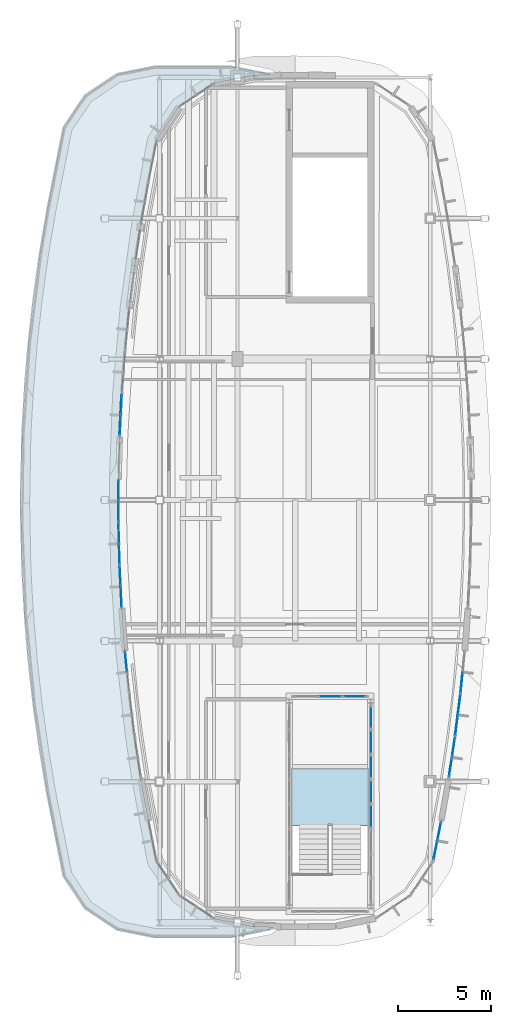
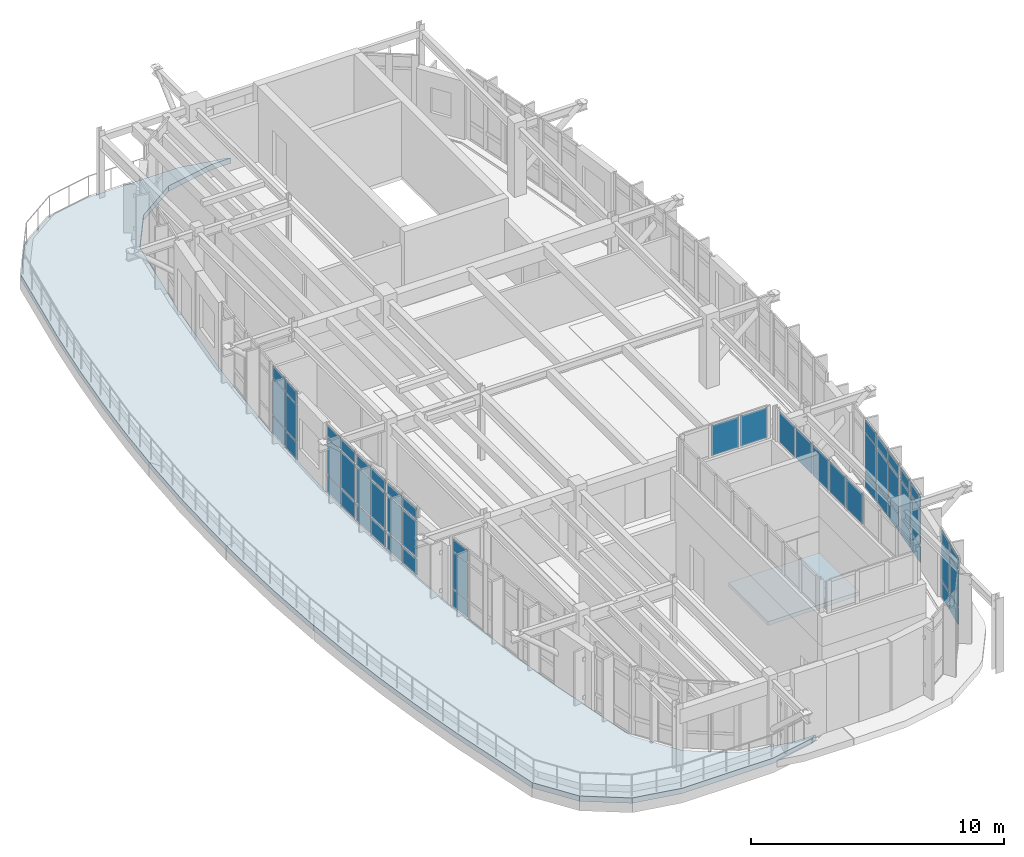
# One storey, part 13 of 20: 55 plates, 2 slabs, 12 elements without a shape of their own.
"""IFC4 building model written with IfcOpenShell, lengths in metres."""

from ifc_helpers import new_model, si_unit, direction, frame, origin, origin_2d, place, context, subcontext, project, spatial, polyline, rectangle, outline, extrude, material, layer, layer_set, type_object, element, aggregate, save


model = new_model("IFC4")

# Units and contexts
model_context = context("Model", 3, precision=1e-05, world=origin(), true_north=direction((0.0, 1.0)))
body_context = subcontext(model_context, "Body", "Model", "MODEL_VIEW")
ifc_project = project(units=[si_unit("LENGTHUNIT", "METRE"), si_unit("AREAUNIT", "SQUARE_METRE"), si_unit("VOLUMEUNIT", "CUBIC_METRE"), si_unit("PLANEANGLEUNIT", "RADIAN"), si_unit("MASSUNIT", "GRAM", prefix="KILO")], contexts=[model_context])

# Site, building, storey
site_placement = place(None, origin())
site = spatial("IfcSite", under=ifc_project, at=site_placement, CompositionType="ELEMENT")
building_placement = place(site_placement, origin())
building = spatial("IfcBuilding", under=site, at=building_placement, Name="Corveleigh Park Community Centre", CompositionType="ELEMENT")
storey_placement = place(building_placement, frame((0.0, 0.0, 19.800048828125)))
storey = spatial("IfcBuildingStorey", under=building, at=storey_placement, Name="L05", CompositionType="ELEMENT", Elevation=19.800048828125)

# Curtain wall, plates
ifc_material_1 = material(Name="Anodised aluminium 6063-T6", Category="aluminium")
curtain_wall_type = type_object("IfcCurtainWallType", Name="CW-SYS-V4-L03", PredefinedType="NOTDEFINED", material=ifc_material_1)
curtain_wall_1_placement = place(storey_placement, origin())
curtain_wall_1 = element("IfcCurtainWall", 1, at=curtain_wall_1_placement, inside=storey, type_object=curtain_wall_type, Name="V4 L05 Curtain Wall 493", PredefinedType="NOTDEFINED")
ifc_material_2 = material(Name="Low-E double glazing", Category="glass")
ifc_layer_1 = layer(ifc_material_2, 0.02392578125, Name="Low-E double glazing", Category="glass")
ifc_layer_set_1 = layer_set([ifc_layer_1], Name="Low-E double glazing")
plate_type_1 = type_object("IfcPlateType", Name="CWP-GLZ-24", PredefinedType="CURTAIN_PANEL", material=ifc_layer_set_1)
plate_1_placement = place(storey_placement, frame((151.5849609375, 80.79052734375, 0.070068359375), z_axis=(0.0, 0.0, 1.0), x_axis=(0.0, 1.0, 0.0)))
plate_1 = element("IfcPlate", 2, at=plate_1_placement, type_object=plate_type_1, Name="CW09 panel 1.1", PredefinedType="CURTAIN_PANEL", context=body_context, shape_type="SweptSolid", body=[
    extrude(rectangle(XDim=1.05908203125, YDim=0.02392578125, at=origin_2d()), origin(), (0.0, 0.0, 1.0), 0.794921875),
])
plate_2_placement = place(storey_placement, frame((151.5849609375, 80.79052734375, 0.93505859375), z_axis=(0.0, 0.0, 1.0), x_axis=(0.0, 1.0, 0.0)))
plate_2 = element("IfcPlate", 3, at=plate_2_placement, type_object=plate_type_1, Name="CW09 panel 1.2", PredefinedType="CURTAIN_PANEL", context=body_context, shape_type="SweptSolid", body=[
    extrude(rectangle(XDim=1.05908203125, YDim=0.02392578125, at=origin_2d()), origin(), (0.0, 0.0, 1.0), 1.743896484375),
])
plate_3_placement = place(storey_placement, frame((151.5849609375, 80.79052734375, 2.7490234375), z_axis=(0.0, 0.0, 1.0), x_axis=(0.0, 1.0, 0.0)))
plate_3 = element("IfcPlate", 4, at=plate_3_placement, type_object=plate_type_1, Name="CW09 panel 1.3", PredefinedType="CURTAIN_PANEL", context=body_context, shape_type="SweptSolid", body=[
    extrude(rectangle(XDim=1.05908203125, YDim=0.02392578125, at=origin_2d()), origin(), (0.0, 0.0, 1.0), 0.544921875),
])
plate_4_placement = place(storey_placement, frame((151.5849609375, 81.909423828125, 0.070068359375), z_axis=(0.0, 0.0, 1.0), x_axis=(0.0, 1.0, 0.0)))
plate_4 = element("IfcPlate", 5, at=plate_4_placement, type_object=plate_type_1, Name="CW09 panel 2.1", PredefinedType="CURTAIN_PANEL", context=body_context, shape_type="SweptSolid", body=[
    extrude(rectangle(XDim=1.05908203125, YDim=0.02392578125, at=origin_2d()), origin(), (0.0, 0.0, 1.0), 0.794921875),
])
plate_5_placement = place(storey_placement, frame((151.5849609375, 81.909423828125, 0.93505859375), z_axis=(0.0, 0.0, 1.0), x_axis=(0.0, 1.0, 0.0)))
plate_5 = element("IfcPlate", 6, at=plate_5_placement, type_object=plate_type_1, Name="CW09 panel 2.2", PredefinedType="CURTAIN_PANEL", context=body_context, shape_type="SweptSolid", body=[
    extrude(rectangle(XDim=1.05908203125, YDim=0.02392578125, at=origin_2d()), origin(), (0.0, 0.0, 1.0), 1.743896484375),
])
plate_6_placement = place(storey_placement, frame((151.5849609375, 81.909423828125, 2.7490234375), z_axis=(0.0, 0.0, 1.0), x_axis=(0.0, 1.0, 0.0)))
plate_6 = element("IfcPlate", 7, at=plate_6_placement, type_object=plate_type_1, Name="CW09 panel 2.3", PredefinedType="CURTAIN_PANEL", context=body_context, shape_type="SweptSolid", body=[
    extrude(rectangle(XDim=1.05908203125, YDim=0.02392578125, at=origin_2d()), origin(), (0.0, 0.0, 1.0), 0.544921875),
])
aggregate(curtain_wall_1, [plate_1, plate_2, plate_3, plate_4, plate_5, plate_6])

curtain_wall_2_placement = place(storey_placement, origin())
curtain_wall_2 = element("IfcCurtainWall", 8, at=curtain_wall_2_placement, inside=storey, type_object=curtain_wall_type, Name="V4 L05 Curtain Wall 494", PredefinedType="NOTDEFINED")
plate_7_placement = place(storey_placement, frame((151.628173828125, 78.477294921875, 0.074951171875), z_axis=(0.0, 0.0, 1.0), x_axis=(-0.025253267842, 0.999681085378, 0.0)))
plate_7 = element("IfcPlate", 9, at=plate_7_placement, type_object=plate_type_1, Name="CW09 panel 1.1", PredefinedType="CURTAIN_PANEL", context=body_context, shape_type="SweptSolid", body=[
    extrude(rectangle(XDim=1.05078125, YDim=0.02392578125, at=origin_2d()), origin(), (0.0, 0.0, 1.0), 0.78759765625),
])
plate_8_placement = place(storey_placement, frame((151.628173828125, 78.477294921875, 0.9375), z_axis=(0.0, 0.0, 1.0), x_axis=(-0.025253267842, 0.999681085378, 0.0)))
plate_8 = element("IfcPlate", 10, at=plate_8_placement, type_object=plate_type_1, Name="CW09 panel 1.2", PredefinedType="CURTAIN_PANEL", context=body_context, shape_type="SweptSolid", body=[
    extrude(rectangle(XDim=1.05078125, YDim=0.02392578125, at=origin_2d()), origin(), (0.0, 0.0, 1.0), 1.739013671875),
])
plate_9_placement = place(storey_placement, frame((151.628173828125, 78.477294921875, 2.75146484375), z_axis=(0.0, 0.0, 1.0), x_axis=(-0.025253267842, 0.999681085378, 0.0)))
plate_9 = element("IfcPlate", 11, at=plate_9_placement, type_object=plate_type_1, Name="CW09 panel 1.3", PredefinedType="CURTAIN_PANEL", context=body_context, shape_type="SweptSolid", body=[
    extrude(rectangle(XDim=1.05078125, YDim=0.02392578125, at=origin_2d()), origin(), (0.0, 0.0, 1.0), 0.53759765625),
])
plate_10_placement = place(storey_placement, frame((151.599853515625, 79.5927734375, 0.074951171875), z_axis=(0.0, 0.0, 1.0), x_axis=(-0.025253267842, 0.999681085378, 0.0)))
plate_10 = element("IfcPlate", 12, at=plate_10_placement, type_object=plate_type_1, Name="CW09 panel 2.1", PredefinedType="CURTAIN_PANEL", context=body_context, shape_type="SweptSolid", body=[
    extrude(rectangle(XDim=1.05078125, YDim=0.02392578125, at=origin_2d()), origin(), (0.0, 0.0, 1.0), 0.78759765625),
])
plate_11_placement = place(storey_placement, frame((151.599853515625, 79.5927734375, 0.9375), z_axis=(0.0, 0.0, 1.0), x_axis=(-0.025253267842, 0.999681085378, 0.0)))
plate_11 = element("IfcPlate", 13, at=plate_11_placement, type_object=plate_type_1, Name="CW09 panel 2.2", PredefinedType="CURTAIN_PANEL", context=body_context, shape_type="SweptSolid", body=[
    extrude(rectangle(XDim=1.05078125, YDim=0.02392578125, at=origin_2d()), origin(), (0.0, 0.0, 1.0), 1.739013671875),
])
plate_12_placement = place(storey_placement, frame((151.599853515625, 79.5927734375, 2.75146484375), z_axis=(0.0, 0.0, 1.0), x_axis=(-0.025253267842, 0.999681085378, 0.0)))
plate_12 = element("IfcPlate", 14, at=plate_12_placement, type_object=plate_type_1, Name="CW09 panel 2.3", PredefinedType="CURTAIN_PANEL", context=body_context, shape_type="SweptSolid", body=[
    extrude(rectangle(XDim=1.05078125, YDim=0.02392578125, at=origin_2d()), origin(), (0.0, 0.0, 1.0), 0.53759765625),
])
aggregate(curtain_wall_2, [plate_7, plate_8, plate_9, plate_10, plate_11, plate_12])

curtain_wall_3_placement = place(storey_placement, origin())
curtain_wall_3 = element("IfcCurtainWall", 15, at=curtain_wall_3_placement, inside=storey, type_object=curtain_wall_type, Name="V4 L05 Curtain Wall 495", PredefinedType="NOTDEFINED")
ifc_layer_2 = layer(ifc_material_2, 0.028076171875, Name="Low-E double glazing", Category="glass")
ifc_layer_set_2 = layer_set([ifc_layer_2], Name="Low-E double glazing")
plate_type_2 = type_object("IfcPlateType", Name="CWP-GLZ-28", PredefinedType="CURTAIN_PANEL", material=ifc_layer_set_2)
plate_13_placement = place(storey_placement, frame((151.72900390625, 76.165283203125, 0.080078125), z_axis=(0.0, 0.0, 1.0), x_axis=(-0.050480220936, 0.998725060912, 0.0)))
plate_13 = element("IfcPlate", 16, at=plate_13_placement, type_object=plate_type_2, Name="CW09 panel 1.1", PredefinedType="CURTAIN_PANEL", context=body_context, shape_type="SweptSolid", body=[
    extrude(rectangle(XDim=1.0439453125, YDim=0.028076171875, at=origin_2d()), origin(), (0.0, 0.0, 1.0), 0.780029296875),
])
plate_14_placement = place(storey_placement, frame((151.72900390625, 76.165283203125, 0.93994140625), z_axis=(0.0, 0.0, 1.0), x_axis=(-0.050480220936, 0.998725060912, 0.0)))
plate_14 = element("IfcPlate", 17, at=plate_14_placement, type_object=plate_type_2, Name="CW09 panel 1.2", PredefinedType="CURTAIN_PANEL", context=body_context, shape_type="SweptSolid", body=[
    extrude(rectangle(XDim=1.0439453125, YDim=0.028076171875, at=origin_2d()), origin(), (0.0, 0.0, 1.0), 1.73388671875),
])
plate_15_placement = place(storey_placement, frame((151.72900390625, 76.165283203125, 2.75390625), z_axis=(0.0, 0.0, 1.0), x_axis=(-0.050480220936, 0.998725060912, 0.0)))
plate_15 = element("IfcPlate", 18, at=plate_15_placement, type_object=plate_type_2, Name="CW09 panel 1.3", PredefinedType="CURTAIN_PANEL", context=body_context, shape_type="SweptSolid", body=[
    extrude(rectangle(XDim=1.0439453125, YDim=0.028076171875, at=origin_2d()), origin(), (0.0, 0.0, 1.0), 0.530029296875),
])
plate_16_placement = place(storey_placement, frame((151.6728515625, 77.27783203125, 0.080078125), z_axis=(0.0, 0.0, 1.0), x_axis=(-0.050480220936, 0.998725060912, 0.0)))
plate_16 = element("IfcPlate", 19, at=plate_16_placement, type_object=plate_type_2, Name="CW09 panel 2.1", PredefinedType="CURTAIN_PANEL", context=body_context, shape_type="SweptSolid", body=[
    extrude(rectangle(XDim=1.0439453125, YDim=0.028076171875, at=origin_2d()), origin(), (0.0, 0.0, 1.0), 0.780029296875),
])
plate_17_placement = place(storey_placement, frame((151.6728515625, 77.27783203125, 0.93994140625), z_axis=(0.0, 0.0, 1.0), x_axis=(-0.050480220936, 0.998725060912, 0.0)))
plate_17 = element("IfcPlate", 20, at=plate_17_placement, type_object=plate_type_2, Name="CW09 panel 2.2", PredefinedType="CURTAIN_PANEL", context=body_context, shape_type="SweptSolid", body=[
    extrude(rectangle(XDim=1.0439453125, YDim=0.028076171875, at=origin_2d()), origin(), (0.0, 0.0, 1.0), 1.73388671875),
])
plate_18_placement = place(storey_placement, frame((151.6728515625, 77.27783203125, 2.75390625), z_axis=(0.0, 0.0, 1.0), x_axis=(-0.050480220936, 0.998725060912, 0.0)))
plate_18 = element("IfcPlate", 21, at=plate_18_placement, type_object=plate_type_2, Name="CW09 panel 2.3", PredefinedType="CURTAIN_PANEL", context=body_context, shape_type="SweptSolid", body=[
    extrude(rectangle(XDim=1.0439453125, YDim=0.028076171875, at=origin_2d()), origin(), (0.0, 0.0, 1.0), 0.530029296875),
])
aggregate(curtain_wall_3, [plate_13, plate_14, plate_15, plate_16, plate_17, plate_18])

curtain_wall_4_placement = place(storey_placement, origin())
curtain_wall_4 = element("IfcCurtainWall", 22, at=curtain_wall_4_placement, inside=storey, type_object=curtain_wall_type, Name="V4 L05 Curtain Wall 496", PredefinedType="NOTDEFINED")
plate_19_placement = place(storey_placement, frame((151.9921875, 72.658203125, 0.059814453125), z_axis=(0.0, 0.0, 1.0), x_axis=(-0.099719288676, 0.995015609659, 0.0)))
plate_19 = element("IfcPlate", 23, at=plate_19_placement, type_object=plate_type_2, Name="CW09 panel 2.1", PredefinedType="CURTAIN_PANEL", context=body_context, shape_type="SweptSolid", body=[
    extrude(rectangle(XDim=1.03564453125, YDim=0.028076171875, at=origin_2d()), origin(), (0.0, 0.0, 1.0), 0.81005859375),
])
plate_20_placement = place(storey_placement, frame((151.9921875, 72.658203125, 0.929931640625), z_axis=(0.0, 0.0, 1.0), x_axis=(-0.099719288676, 0.995015609659, 0.0)))
plate_20 = element("IfcPlate", 24, at=plate_20_placement, type_object=plate_type_2, Name="CW09 panel 2.2", PredefinedType="CURTAIN_PANEL", context=body_context, shape_type="SweptSolid", body=[
    extrude(rectangle(XDim=1.03564453125, YDim=0.028076171875, at=origin_2d()), origin(), (0.0, 0.0, 1.0), 1.75390625),
])
plate_21_placement = place(storey_placement, frame((151.9921875, 72.658203125, 2.743896484375), z_axis=(0.0, 0.0, 1.0), x_axis=(-0.099719288676, 0.995015609659, 0.0)))
plate_21 = element("IfcPlate", 25, at=plate_21_placement, type_object=plate_type_2, Name="CW09 panel 2.3", PredefinedType="CURTAIN_PANEL", context=body_context, shape_type="SweptSolid", body=[
    extrude(rectangle(XDim=1.03564453125, YDim=0.028076171875, at=origin_2d()), origin(), (0.0, 0.0, 1.0), 0.56005859375),
])
aggregate(curtain_wall_4, [plate_19, plate_20, plate_21])

curtain_wall_5_placement = place(storey_placement, origin())
curtain_wall_5 = element("IfcCurtainWall", 26, at=curtain_wall_5_placement, inside=storey, type_object=curtain_wall_type, Name="Crown Lantern N Clerestory", PredefinedType="NOTDEFINED")
plate_22_placement = place(storey_placement, frame((164.31591796875, 70.800048828125, 5.06494140625), z_axis=(0.0, 0.0, 1.0), x_axis=(-1.0, 0.0, 0.0)))
plate_22 = element("IfcPlate", 27, at=plate_22_placement, type_object=plate_type_2, Name="CW09 panel 1.1", PredefinedType="CURTAIN_PANEL", context=body_context, shape_type="SweptSolid", body=[
    extrude(rectangle(XDim=1.228271484375, YDim=0.028076171875, at=origin_2d()), origin(), (0.0, 0.0, 1.0), 1.449951171875),
])
plate_23_placement = place(storey_placement, frame((163.0, 70.800048828125, 5.06494140625), z_axis=(0.0, 0.0, 1.0), x_axis=(-1.0, 0.0, 0.0)))
plate_23 = element("IfcPlate", 28, at=plate_23_placement, type_object=plate_type_2, Name="CW09 panel 2.1", PredefinedType="CURTAIN_PANEL", context=body_context, shape_type="SweptSolid", body=[
    extrude(rectangle(XDim=1.263427734375, YDim=0.028076171875, at=origin_2d()), origin(), (0.0, 0.0, 1.0), 1.449951171875),
])
aggregate(curtain_wall_5, [plate_22, plate_23])

curtain_wall_6_placement = place(storey_placement, origin())
curtain_wall_6 = element("IfcCurtainWall", 29, at=curtain_wall_6_placement, inside=storey, type_object=curtain_wall_type, Name="Crown Lantern E Clerestory", PredefinedType="NOTDEFINED")
plate_24_placement = place(storey_placement, frame((165.199951171875, 64.331298828125, 5.06494140625), z_axis=(0.0, 0.0, 1.0), x_axis=(0.0, 1.0, 0.0)))
plate_24 = element("IfcPlate", 30, at=plate_24_placement, type_object=plate_type_2, Name="CW09 panel 4.1", PredefinedType="CURTAIN_PANEL", context=body_context, shape_type="SweptSolid", body=[
    extrude(rectangle(XDim=1.267578125, YDim=0.028076171875, at=origin_2d()), origin(), (0.0, 0.0, 1.0), 1.449951171875),
])
plate_25_placement = place(storey_placement, frame((165.199951171875, 65.668701171875, 5.06494140625), z_axis=(0.0, 0.0, 1.0), x_axis=(0.0, 1.0, 0.0)))
plate_25 = element("IfcPlate", 31, at=plate_25_placement, type_object=plate_type_2, Name="CW09 panel 5.1", PredefinedType="CURTAIN_PANEL", context=body_context, shape_type="SweptSolid", body=[
    extrude(rectangle(XDim=1.267578125, YDim=0.028076171875, at=origin_2d()), origin(), (0.0, 0.0, 1.0), 1.449951171875),
])
plate_26_placement = place(storey_placement, frame((165.199951171875, 67.00634765625, 5.06494140625), z_axis=(0.0, 0.0, 1.0), x_axis=(0.0, 1.0, 0.0)))
plate_26 = element("IfcPlate", 32, at=plate_26_placement, type_object=plate_type_2, Name="CW09 panel 6.1", PredefinedType="CURTAIN_PANEL", context=body_context, shape_type="SweptSolid", body=[
    extrude(rectangle(XDim=1.267578125, YDim=0.028076171875, at=origin_2d()), origin(), (0.0, 0.0, 1.0), 1.449951171875),
])
plate_27_placement = place(storey_placement, frame((165.199951171875, 68.34375, 5.06494140625), z_axis=(0.0, 0.0, 1.0), x_axis=(0.0, 1.0, 0.0)))
plate_27 = element("IfcPlate", 33, at=plate_27_placement, type_object=plate_type_2, Name="CW09 panel 7.1", PredefinedType="CURTAIN_PANEL", context=body_context, shape_type="SweptSolid", body=[
    extrude(rectangle(XDim=1.267578125, YDim=0.028076171875, at=origin_2d()), origin(), (0.0, 0.0, 1.0), 1.449951171875),
])
plate_28_placement = place(storey_placement, frame((165.199951171875, 69.663818359375, 5.06494140625), z_axis=(0.0, 0.0, 1.0), x_axis=(0.0, 1.0, 0.0)))
plate_28 = element("IfcPlate", 34, at=plate_28_placement, type_object=plate_type_2, Name="CW09 panel 8.1", PredefinedType="CURTAIN_PANEL", context=body_context, shape_type="SweptSolid", body=[
    extrude(rectangle(XDim=1.232421875, YDim=0.028076171875, at=origin_2d()), origin(), (0.0, 0.0, 1.0), 1.449951171875),
])
aggregate(curtain_wall_6, [plate_24, plate_25, plate_26, plate_27, plate_28])

curtain_wall_7_placement = place(storey_placement, origin())
curtain_wall_7 = element("IfcCurtainWall", 35, at=curtain_wall_7_placement, inside=storey, type_object=curtain_wall_type, Name="V4 L05 Curtain Wall 473", PredefinedType="NOTDEFINED")
ifc_layer_3 = layer(ifc_material_2, 0.031982421875, Name="Low-E double glazing", Category="glass")
ifc_layer_set_3 = layer_set([ifc_layer_3], Name="Low-E double glazing")
plate_type_3 = type_object("IfcPlateType", Name="CWP-GLZ-32", PredefinedType="CURTAIN_PANEL", material=ifc_layer_set_3)
plate_29_placement = place(storey_placement, frame((168.888671875, 63.529052734375, 0.070068359375), z_axis=(0.0, 0.0, 1.0), x_axis=(-0.194784489103, -0.980846064785, 0.0)))
plate_29 = element("IfcPlate", 36, at=plate_29_placement, type_object=plate_type_3, Name="CW09 panel 1.1", PredefinedType="CURTAIN_PANEL", context=body_context, shape_type="SweptSolid", body=[
    extrude(rectangle(XDim=0.963134765625, YDim=0.031982421875, at=origin_2d()), origin(), (0.0, 0.0, 1.0), 0.794921875),
])
plate_30_placement = place(storey_placement, frame((168.888671875, 63.529052734375, 0.93505859375), z_axis=(0.0, 0.0, 1.0), x_axis=(-0.194784489103, -0.980846064785, 0.0)))
plate_30 = element("IfcPlate", 37, at=plate_30_placement, type_object=plate_type_3, Name="CW09 panel 1.2", PredefinedType="CURTAIN_PANEL", context=body_context, shape_type="SweptSolid", body=[
    extrude(rectangle(XDim=0.963134765625, YDim=0.031982421875, at=origin_2d()), origin(), (0.0, 0.0, 1.0), 1.743896484375),
])
plate_31_placement = place(storey_placement, frame((168.888671875, 63.529052734375, 2.7490234375), z_axis=(0.0, 0.0, 1.0), x_axis=(-0.194784489103, -0.980846064785, 0.0)))
plate_31 = element("IfcPlate", 38, at=plate_31_placement, type_object=plate_type_3, Name="CW09 panel 1.3", PredefinedType="CURTAIN_PANEL", context=body_context, shape_type="SweptSolid", body=[
    extrude(rectangle(XDim=0.963134765625, YDim=0.031982421875, at=origin_2d()), origin(), (0.0, 0.0, 1.0), 0.544921875),
])
plate_32_placement = place(storey_placement, frame((168.685302734375, 62.505859375, 0.070068359375), z_axis=(0.0, 0.0, 1.0), x_axis=(-0.194784489103, -0.980846064785, 0.0)))
plate_32 = element("IfcPlate", 39, at=plate_32_placement, type_object=plate_type_3, Name="CW09 panel 2.1", PredefinedType="CURTAIN_PANEL", context=body_context, shape_type="SweptSolid", body=[
    extrude(rectangle(XDim=0.963134765625, YDim=0.031982421875, at=origin_2d()), origin(), (0.0, 0.0, 1.0), 0.794921875),
])
plate_33_placement = place(storey_placement, frame((168.685302734375, 62.505859375, 0.93505859375), z_axis=(0.0, 0.0, 1.0), x_axis=(-0.194784489103, -0.980846064785, 0.0)))
plate_33 = element("IfcPlate", 40, at=plate_33_placement, type_object=plate_type_3, Name="CW09 panel 2.2", PredefinedType="CURTAIN_PANEL", context=body_context, shape_type="SweptSolid", body=[
    extrude(rectangle(XDim=0.963134765625, YDim=0.031982421875, at=origin_2d()), origin(), (0.0, 0.0, 1.0), 1.743896484375),
])
plate_34_placement = place(storey_placement, frame((168.685302734375, 62.505859375, 2.7490234375), z_axis=(0.0, 0.0, 1.0), x_axis=(-0.194784489103, -0.980846064785, 0.0)))
plate_34 = element("IfcPlate", 41, at=plate_34_placement, type_object=plate_type_3, Name="CW09 panel 2.3", PredefinedType="CURTAIN_PANEL", context=body_context, shape_type="SweptSolid", body=[
    extrude(rectangle(XDim=0.963134765625, YDim=0.031982421875, at=origin_2d()), origin(), (0.0, 0.0, 1.0), 0.544921875),
])
aggregate(curtain_wall_7, [plate_29, plate_30, plate_31, plate_32, plate_33, plate_34])

curtain_wall_8_placement = place(storey_placement, origin())
curtain_wall_8 = element("IfcCurtainWall", 42, at=curtain_wall_8_placement, inside=storey, type_object=curtain_wall_type, Name="V4 L05 Curtain Wall 474", PredefinedType="NOTDEFINED")
plate_35_placement = place(storey_placement, frame((169.657958984375, 68.06005859375, 0.074951171875), z_axis=(0.0, 0.0, 1.0), x_axis=(-0.149276778011, -0.988795450812, 0.0)))
plate_35 = element("IfcPlate", 43, at=plate_35_placement, type_object=plate_type_3, Name="CW09 panel 1.1", PredefinedType="CURTAIN_PANEL", context=body_context, shape_type="SweptSolid", body=[
    extrude(rectangle(XDim=1.021484375, YDim=0.031982421875, at=origin_2d()), origin(), (0.0, 0.0, 1.0), 0.78759765625),
])
plate_36_placement = place(storey_placement, frame((169.657958984375, 68.06005859375, 0.9375), z_axis=(0.0, 0.0, 1.0), x_axis=(-0.149276778011, -0.988795450812, 0.0)))
plate_36 = element("IfcPlate", 44, at=plate_36_placement, type_object=plate_type_3, Name="CW09 panel 1.2", PredefinedType="CURTAIN_PANEL", context=body_context, shape_type="SweptSolid", body=[
    extrude(rectangle(XDim=1.021484375, YDim=0.031982421875, at=origin_2d()), origin(), (0.0, 0.0, 1.0), 1.739013671875),
])
plate_37_placement = place(storey_placement, frame((169.657958984375, 68.06005859375, 2.75146484375), z_axis=(0.0, 0.0, 1.0), x_axis=(-0.149276778011, -0.988795450812, 0.0)))
plate_37 = element("IfcPlate", 45, at=plate_37_placement, type_object=plate_type_3, Name="CW09 panel 1.3", PredefinedType="CURTAIN_PANEL", context=body_context, shape_type="SweptSolid", body=[
    extrude(rectangle(XDim=1.021484375, YDim=0.031982421875, at=origin_2d()), origin(), (0.0, 0.0, 1.0), 0.53759765625),
])
plate_38_placement = place(storey_placement, frame((169.492919921875, 66.966064453125, 0.074951171875), z_axis=(0.0, 0.0, 1.0), x_axis=(-0.149276778011, -0.988795450812, 0.0)))
plate_38 = element("IfcPlate", 46, at=plate_38_placement, type_object=plate_type_3, Name="CW09 panel 2.1", PredefinedType="CURTAIN_PANEL", context=body_context, shape_type="SweptSolid", body=[
    extrude(rectangle(XDim=1.021484375, YDim=0.031982421875, at=origin_2d()), origin(), (0.0, 0.0, 1.0), 0.78759765625),
])
plate_39_placement = place(storey_placement, frame((169.492919921875, 66.966064453125, 0.9375), z_axis=(0.0, 0.0, 1.0), x_axis=(-0.149276778011, -0.988795450812, 0.0)))
plate_39 = element("IfcPlate", 47, at=plate_39_placement, type_object=plate_type_3, Name="CW09 panel 2.2", PredefinedType="CURTAIN_PANEL", context=body_context, shape_type="SweptSolid", body=[
    extrude(rectangle(XDim=1.021484375, YDim=0.031982421875, at=origin_2d()), origin(), (0.0, 0.0, 1.0), 1.739013671875),
])
plate_40_placement = place(storey_placement, frame((169.492919921875, 66.966064453125, 2.75146484375), z_axis=(0.0, 0.0, 1.0), x_axis=(-0.149276778011, -0.988795450812, 0.0)))
plate_40 = element("IfcPlate", 48, at=plate_40_placement, type_object=plate_type_3, Name="CW09 panel 2.3", PredefinedType="CURTAIN_PANEL", context=body_context, shape_type="SweptSolid", body=[
    extrude(rectangle(XDim=1.021484375, YDim=0.031982421875, at=origin_2d()), origin(), (0.0, 0.0, 1.0), 0.53759765625),
])
aggregate(curtain_wall_8, [plate_35, plate_36, plate_37, plate_38, plate_39, plate_40])

curtain_wall_9_placement = place(storey_placement, origin())
curtain_wall_9 = element("IfcCurtainWall", 49, at=curtain_wall_9_placement, inside=storey, type_object=curtain_wall_type, Name="V4 L05 Curtain Wall 475", PredefinedType="NOTDEFINED")
ifc_layer_4 = layer(ifc_material_2, 0.035888671875, Name="Low-E double glazing", Category="glass")
ifc_layer_set_4 = layer_set([ifc_layer_4], Name="Low-E double glazing")
plate_type_4 = type_object("IfcPlateType", Name="CWP-GLZ-36", PredefinedType="CURTAIN_PANEL", material=ifc_layer_set_4)
plate_41_placement = place(storey_placement, frame((169.96240234375, 70.360107421875, 0.080078125), z_axis=(0.0, 0.0, 1.0), x_axis=(-0.124891623628, -0.992170389776, 0.0)))
plate_41 = element("IfcPlate", 50, at=plate_41_placement, type_object=plate_type_4, Name="CW09 panel 1.1", PredefinedType="CURTAIN_PANEL", context=body_context, shape_type="SweptSolid", body=[
    extrude(rectangle(XDim=1.05908203125, YDim=0.035888671875, at=origin_2d()), origin(), (0.0, 0.0, 1.0), 0.780029296875),
])
plate_42_placement = place(storey_placement, frame((169.96240234375, 70.360107421875, 0.93994140625), z_axis=(0.0, 0.0, 1.0), x_axis=(-0.124891623628, -0.992170389776, 0.0)))
plate_42 = element("IfcPlate", 51, at=plate_42_placement, type_object=plate_type_4, Name="CW09 panel 1.2", PredefinedType="CURTAIN_PANEL", context=body_context, shape_type="SweptSolid", body=[
    extrude(rectangle(XDim=1.05908203125, YDim=0.035888671875, at=origin_2d()), origin(), (0.0, 0.0, 1.0), 1.73388671875),
])
plate_43_placement = place(storey_placement, frame((169.96240234375, 70.360107421875, 2.75390625), z_axis=(0.0, 0.0, 1.0), x_axis=(-0.124891623628, -0.992170389776, 0.0)))
plate_43 = element("IfcPlate", 52, at=plate_43_placement, type_object=plate_type_4, Name="CW09 panel 1.3", PredefinedType="CURTAIN_PANEL", context=body_context, shape_type="SweptSolid", body=[
    extrude(rectangle(XDim=1.05908203125, YDim=0.035888671875, at=origin_2d()), origin(), (0.0, 0.0, 1.0), 0.530029296875),
])
plate_44_placement = place(storey_placement, frame((169.822509765625, 69.25, 0.080078125), z_axis=(0.0, 0.0, 1.0), x_axis=(-0.124891623628, -0.992170389776, 0.0)))
plate_44 = element("IfcPlate", 53, at=plate_44_placement, type_object=plate_type_4, Name="CW09 panel 2.1", PredefinedType="CURTAIN_PANEL", context=body_context, shape_type="SweptSolid", body=[
    extrude(rectangle(XDim=1.05908203125, YDim=0.035888671875, at=origin_2d()), origin(), (0.0, 0.0, 1.0), 0.780029296875),
])
plate_45_placement = place(storey_placement, frame((169.822509765625, 69.25, 0.93994140625), z_axis=(0.0, 0.0, 1.0), x_axis=(-0.124891623628, -0.992170389776, 0.0)))
plate_45 = element("IfcPlate", 54, at=plate_45_placement, type_object=plate_type_4, Name="CW09 panel 2.2", PredefinedType="CURTAIN_PANEL", context=body_context, shape_type="SweptSolid", body=[
    extrude(rectangle(XDim=1.05908203125, YDim=0.035888671875, at=origin_2d()), origin(), (0.0, 0.0, 1.0), 1.73388671875),
])
plate_46_placement = place(storey_placement, frame((169.822509765625, 69.25, 2.75390625), z_axis=(0.0, 0.0, 1.0), x_axis=(-0.124891623628, -0.992170389776, 0.0)))
plate_46 = element("IfcPlate", 55, at=plate_46_placement, type_object=plate_type_4, Name="CW09 panel 2.3", PredefinedType="CURTAIN_PANEL", context=body_context, shape_type="SweptSolid", body=[
    extrude(rectangle(XDim=1.05908203125, YDim=0.035888671875, at=origin_2d()), origin(), (0.0, 0.0, 1.0), 0.530029296875),
])
aggregate(curtain_wall_9, [plate_41, plate_42, plate_43, plate_44, plate_45, plate_46])

curtain_wall_10_placement = place(storey_placement, origin())
curtain_wall_10 = element("IfcCurtainWall", 56, at=curtain_wall_10_placement, inside=storey, type_object=curtain_wall_type, Name="V4 L05 Curtain Wall 476", PredefinedType="NOTDEFINED")
plate_47_placement = place(storey_placement, frame((170.096923828125, 71.550537109375, 0.059814453125), z_axis=(0.0, 0.0, 1.0), x_axis=(-0.099719288676, -0.995015609659, 0.0)))
plate_47 = element("IfcPlate", 57, at=plate_47_placement, type_object=plate_type_4, Name="CW09 panel 2.1", PredefinedType="CURTAIN_PANEL", context=body_context, shape_type="SweptSolid", body=[
    extrude(rectangle(XDim=1.05078125, YDim=0.035888671875, at=origin_2d()), origin(), (0.0, 0.0, 1.0), 0.81005859375),
])
plate_48_placement = place(storey_placement, frame((170.096923828125, 71.550537109375, 0.929931640625), z_axis=(0.0, 0.0, 1.0), x_axis=(-0.099719288676, -0.995015609659, 0.0)))
plate_48 = element("IfcPlate", 58, at=plate_48_placement, type_object=plate_type_4, Name="CW09 panel 2.2", PredefinedType="CURTAIN_PANEL", context=body_context, shape_type="SweptSolid", body=[
    extrude(rectangle(XDim=1.05078125, YDim=0.035888671875, at=origin_2d()), origin(), (0.0, 0.0, 1.0), 1.75390625),
])
plate_49_placement = place(storey_placement, frame((170.096923828125, 71.550537109375, 2.743896484375), z_axis=(0.0, 0.0, 1.0), x_axis=(-0.099719288676, -0.995015609659, 0.0)))
plate_49 = element("IfcPlate", 59, at=plate_49_placement, type_object=plate_type_4, Name="CW09 panel 2.3", PredefinedType="CURTAIN_PANEL", context=body_context, shape_type="SweptSolid", body=[
    extrude(rectangle(XDim=1.05078125, YDim=0.035888671875, at=origin_2d()), origin(), (0.0, 0.0, 1.0), 0.56005859375),
])
aggregate(curtain_wall_10, [plate_47, plate_48, plate_49])

curtain_wall_11_placement = place(storey_placement, origin())
curtain_wall_11 = element("IfcCurtainWall", 60, at=curtain_wall_11_placement, inside=storey, type_object=curtain_wall_type, Name="V4 L05 Curtain Wall 492", PredefinedType="NOTDEFINED")
ifc_layer_5 = layer(ifc_material_2, 0.0439453125, Name="Low-E double glazing", Category="glass")
ifc_layer_set_5 = layer_set([ifc_layer_5], Name="Low-E double glazing")
plate_type_5 = type_object("IfcPlateType", Name="CWP-GLZ-44", PredefinedType="CURTAIN_PANEL", material=ifc_layer_set_5)
plate_50_placement = place(storey_placement, frame((151.673095703125, 85.426025390625, 0.06494140625), z_axis=(0.0, 0.0, 1.0), x_axis=(0.050480220936, 0.998725060912, 0.0)))
plate_50 = element("IfcPlate", 61, at=plate_50_placement, type_object=plate_type_5, Name="CW09 panel 1.1", PredefinedType="CURTAIN_PANEL", context=body_context, shape_type="SweptSolid", body=[
    extrude(rectangle(XDim=1.021484375, YDim=0.0439453125, at=origin_2d()), origin(), (0.0, 0.0, 1.0), 0.802490234375),
])
plate_51_placement = place(storey_placement, frame((151.673095703125, 85.426025390625, 0.932373046875), z_axis=(0.0, 0.0, 1.0), x_axis=(0.050480220936, 0.998725060912, 0.0)))
plate_51 = element("IfcPlate", 62, at=plate_51_placement, type_object=plate_type_5, Name="CW09 panel 1.2", PredefinedType="CURTAIN_PANEL", context=body_context, shape_type="SweptSolid", body=[
    extrude(rectangle(XDim=1.021484375, YDim=0.0439453125, at=origin_2d()), origin(), (0.0, 0.0, 1.0), 1.7490234375),
])
plate_52_placement = place(storey_placement, frame((151.673095703125, 85.426025390625, 2.74658203125), z_axis=(0.0, 0.0, 1.0), x_axis=(0.050480220936, 0.998725060912, 0.0)))
plate_52 = element("IfcPlate", 63, at=plate_52_placement, type_object=plate_type_5, Name="CW09 panel 1.3", PredefinedType="CURTAIN_PANEL", context=body_context, shape_type="SweptSolid", body=[
    extrude(rectangle(XDim=1.021484375, YDim=0.0439453125, at=origin_2d()), origin(), (0.0, 0.0, 1.0), 0.552490234375),
])
plate_53_placement = place(storey_placement, frame((151.72900390625, 86.531005859375, 0.06494140625), z_axis=(0.0, 0.0, 1.0), x_axis=(0.050480220936, 0.998725060912, 0.0)))
plate_53 = element("IfcPlate", 64, at=plate_53_placement, type_object=plate_type_5, Name="CW09 panel 2.1", PredefinedType="CURTAIN_PANEL", context=body_context, shape_type="SweptSolid", body=[
    extrude(rectangle(XDim=1.021484375, YDim=0.0439453125, at=origin_2d()), origin(), (0.0, 0.0, 1.0), 0.802490234375),
])
plate_54_placement = place(storey_placement, frame((151.72900390625, 86.531005859375, 0.932373046875), z_axis=(0.0, 0.0, 1.0), x_axis=(0.050480220936, 0.998725060912, 0.0)))
plate_54 = element("IfcPlate", 65, at=plate_54_placement, type_object=plate_type_5, Name="CW09 panel 2.2", PredefinedType="CURTAIN_PANEL", context=body_context, shape_type="SweptSolid", body=[
    extrude(rectangle(XDim=1.021484375, YDim=0.0439453125, at=origin_2d()), origin(), (0.0, 0.0, 1.0), 1.7490234375),
])
plate_55_placement = place(storey_placement, frame((151.72900390625, 86.531005859375, 2.74658203125), z_axis=(0.0, 0.0, 1.0), x_axis=(0.050480220936, 0.998725060912, 0.0)))
plate_55 = element("IfcPlate", 66, at=plate_55_placement, type_object=plate_type_5, Name="CW09 panel 2.3", PredefinedType="CURTAIN_PANEL", context=body_context, shape_type="SweptSolid", body=[
    extrude(rectangle(XDim=1.021484375, YDim=0.0439453125, at=origin_2d()), origin(), (0.0, 0.0, 1.0), 0.552490234375),
])
aggregate(curtain_wall_11, [plate_50, plate_51, plate_52, plate_53, plate_54, plate_55])

# Stair, slab
ifc_material_3 = material(Name="Concrete C32/40", Category="concrete")
stair_type = type_object("IfcStairType", Name="STR-HT-1600-360", PredefinedType="USERDEFINED", material=ifc_material_3)
stair_placement = place(storey_placement, origin())
stair = element("IfcStair", 67, at=stair_placement, inside=storey, type_object=stair_type, Name="Protected escape stair ST1 (L05 to Roof)", ObjectType="TWO_RETURN_STAIR", PredefinedType="USERDEFINED")
ifc_layer_6 = layer(ifc_material_3, 0.18798828125, Name="Concrete C32/40", Category="concrete")
ifc_layer_set_6 = layer_set([ifc_layer_6], Name="Concrete C32/40")
slab_type_1 = type_object("IfcSlabType", Name="SLB-LND-188", PredefinedType="LANDING", material=ifc_layer_set_6)
slab_1_placement = place(storey_placement, frame((0.0, 0.0, 1.612060546875)))
slab_1 = element("IfcSlab", 68, at=slab_1_placement, type_object=slab_type_1, Name="ST1 half landing", PredefinedType="LANDING", context=body_context, shape_type="SweptSolid", body=[
    extrude(outline(polyline([(160.927001953125, 63.81005859375), (165.072998046875, 63.81005859375), (165.072998046875, 66.923095703125), (160.927001953125, 66.923095703125), (160.927001953125, 63.81005859375)])), origin(), (0.0, 0.0, 1.0), 0.18798828125),
])
aggregate(stair, [slab_1])

# Slab
ifc_layer_7 = layer(ifc_material_3, 0.2548828125, Name="Concrete C32/40", Category="concrete")
ifc_layer_set_7 = layer_set([ifc_layer_7], Name="Concrete C32/40")
slab_type_2 = type_object("IfcSlabType", Name="SLB-TER-255", PredefinedType="FLOOR", material=ifc_layer_set_7)
slab_2_placement = place(storey_placement, frame((0.0, 0.0, -0.255126953125)))
element("IfcSlab", 69, at=slab_2_placement, inside=storey, type_object=slab_type_2, Name="Step 5 Crown Botanical Terrace bay 1", PredefinedType="FLOOR", context=body_context, shape_type="SweptSolid", body=[
    extrude(outline(polyline([(159.7109375, 58.2060546875), (157.672119140625, 57.800048828125), (153.528076171875, 57.800048828125), (151.489013671875, 58.2060546875), (149.760986328125, 59.361083984375), (148.60595703125, 61.089111328125), (147.72802734375, 65.52197265625), (147.322998046875, 67.928955078125), (146.985107421875, 70.345947265625), (146.714111328125, 72.77099609375), (146.510009765625, 75.202880859375), (146.375, 77.639892578125), (146.306884765625, 80.080078125), (146.306884765625, 82.52001953125), (146.375, 84.9599609375), (146.510009765625, 87.39697265625), (146.714111328125, 89.8291015625), (146.985107421875, 92.25390625), (147.322998046875, 94.6708984375), (147.72802734375, 97.077880859375), (148.60595703125, 101.510986328125), (149.760986328125, 103.239013671875), (151.489013671875, 104.39404296875), (153.528076171875, 104.800048828125), (157.672119140625, 104.800048828125), (159.7109375, 104.39404296875), (159.80810546875, 104.3291015625), (158.885986328125, 104.31494140625), (156.7041015625, 103.8798828125), (154.85498046875, 102.64501953125), (153.618896484375, 100.794921875), (152.781982421875, 96.333984375), (152.14794921875, 91.7470703125), (151.743896484375, 87.135009765625), (151.570068359375, 82.508056640625), (151.6279296875, 77.8779296875), (151.9169921875, 73.256103515625), (152.43701171875, 68.655029296875), (152.781982421875, 66.364990234375), (153.618896484375, 61.906982421875), (154.85498046875, 60.054931640625), (156.702880859375, 58.821044921875), (158.885986328125, 58.385009765625), (159.9541015625, 58.367919921875), (159.7109375, 58.2060546875)])), origin(), (0.0, 0.0, 1.0), 0.255126953125),
])

save(model, "model.ifc")
